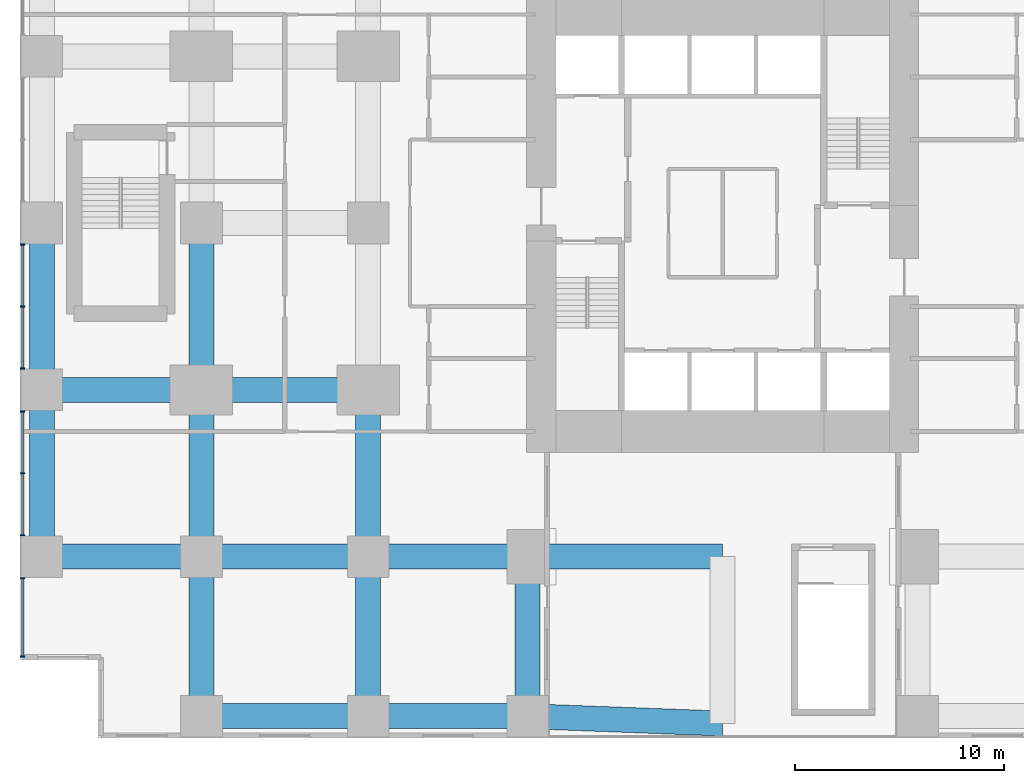
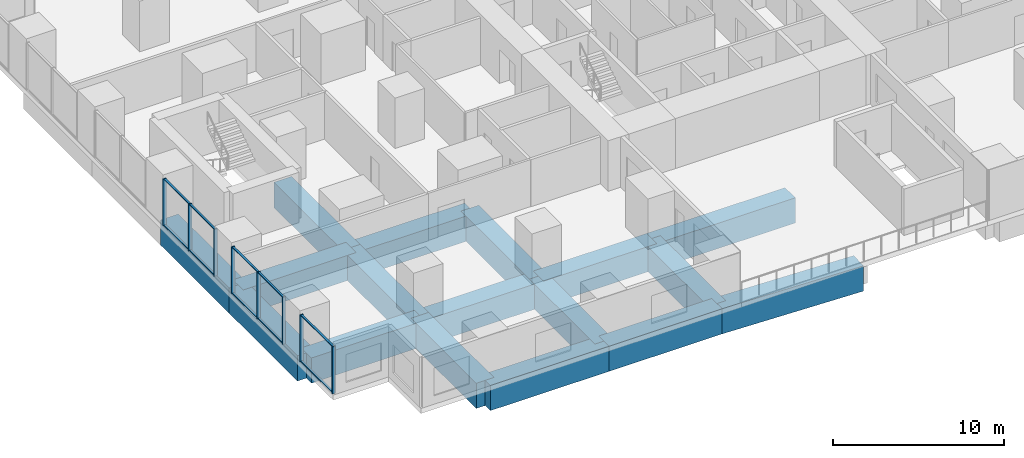
# One storey, part 2 of 15: 18 members, 17 beams, 3 elements without a shape of their own.
"""IFC4 building model written with IfcOpenShell, lengths in metres."""

from ifc_helpers import new_model, si_unit, direction, frame, origin, origin_2d, place, context, subcontext, project, spatial, rectangle, extrude, material, layer, layer_set, material_profile, profile_set, type_object, element, aggregate, save


model = new_model("IFC4")

# Units and contexts
model_context = context("Model", 3, precision=1e-05, world=origin(), true_north=direction((0.0, 1.0)))
body_context = subcontext(model_context, "Body", "Model", "MODEL_VIEW")
ifc_project = project(units=[si_unit("LENGTHUNIT", "METRE"), si_unit("AREAUNIT", "SQUARE_METRE"), si_unit("VOLUMEUNIT", "CUBIC_METRE"), si_unit("PLANEANGLEUNIT", "RADIAN"), si_unit("MASSUNIT", "GRAM", prefix="KILO")], contexts=[model_context])

# Site, building, storey
site_placement = place(None, origin())
site = spatial("IfcSite", under=ifc_project, at=site_placement, CompositionType="ELEMENT")
building_placement = place(site_placement, origin())
building = spatial("IfcBuilding", under=site, at=building_placement, Name="Cleftline Residences", CompositionType="ELEMENT")
storey_placement = place(building_placement, frame((0.0, 0.0, 26.0)))
storey = spatial("IfcBuildingStorey", under=building, at=storey_placement, Name="L05", CompositionType="ELEMENT", Elevation=26.0)

# Beams
ifc_material_1 = material(Name="Concrete B45", Category="concrete")
ifc_material_profile_1 = material_profile(ifc_material_1, rectangle(XDim=1.199951171875, YDim=1.800048828125, at=origin_2d()))
ifc_profile_set_1 = profile_set([ifc_material_profile_1], Name="Concrete B45")
beam_type = type_object("IfcBeamType", Name="BEAM RC1200X1800", PredefinedType="BEAM", material=ifc_profile_set_1)
beam_1_placement = place(storey_placement, frame((8.0, 0.35009765625, -1.25), z_axis=(1.0, 0.0, 0.0), x_axis=(0.0, 1.0, 0.0)))
element("IfcBeam", 1, at=beam_1_placement, inside=storey, type_object=beam_type, Name="Podium beam", PredefinedType="BEAM", context=body_context, shape_type="SweptSolid", body=[
    extrude(rectangle(XDim=1.199951171875, YDim=1.800048828125, at=origin_2d()), origin(), (0.0, 0.0, 1.0), 8.0),
])
beam_2_placement = place(storey_placement, frame((16.0, 0.35009765625, -1.25), z_axis=(1.0, 0.0, 0.0), x_axis=(0.0, 1.0, 0.0)))
element("IfcBeam", 2, at=beam_2_placement, inside=storey, type_object=beam_type, Name="Podium beam", PredefinedType="BEAM", context=body_context, shape_type="SweptSolid", body=[
    extrude(rectangle(XDim=1.199951171875, YDim=1.800048828125, at=origin_2d()), origin(), (0.0, 0.0, 1.0), 7.64990234375),
])
beam_3_placement = place(storey_placement, frame((23.64990234375, 0.35009765625, -1.25), z_axis=(0.999299739303, -0.037416988515, 0.0), x_axis=(0.037416988515, 0.999299739303, 0.0)))
element("IfcBeam", 3, at=beam_3_placement, inside=storey, type_object=beam_type, Name="Podium beam", PredefinedType="BEAM", context=body_context, shape_type="SweptSolid", body=[
    extrude(rectangle(XDim=1.199951171875, YDim=1.800048828125, at=origin_2d()), origin(), (0.0, 0.0, 1.0), 9.356689453125),
])
beam_4_placement = place(storey_placement, frame((0.35009765625, 8.0, -1.25), z_axis=(1.0, 0.0, 0.0), x_axis=(0.0, 1.0, 0.0)))
element("IfcBeam", 4, at=beam_4_placement, inside=storey, type_object=beam_type, Name="Podium beam", PredefinedType="BEAM", context=body_context, shape_type="SweptSolid", body=[
    extrude(rectangle(XDim=1.199951171875, YDim=1.800048828125, at=origin_2d()), origin(), (0.0, 0.0, 1.0), 7.64990234375),
])
beam_5_placement = place(storey_placement, frame((8.0, 8.0, -1.25), z_axis=(1.0, 0.0, 0.0), x_axis=(0.0, 1.0, 0.0)))
element("IfcBeam", 5, at=beam_5_placement, inside=storey, type_object=beam_type, Name="Podium beam", PredefinedType="BEAM", context=body_context, shape_type="SweptSolid", body=[
    extrude(rectangle(XDim=1.199951171875, YDim=1.800048828125, at=origin_2d()), origin(), (0.0, 0.0, 1.0), 8.0),
])
beam_6_placement = place(storey_placement, frame((16.0, 8.0, -1.25), z_axis=(1.0, 0.0, 0.0), x_axis=(0.0, 1.0, 0.0)))
element("IfcBeam", 6, at=beam_6_placement, inside=storey, type_object=beam_type, Name="Podium beam", PredefinedType="BEAM", context=body_context, shape_type="SweptSolid", body=[
    extrude(rectangle(XDim=1.199951171875, YDim=1.800048828125, at=origin_2d()), origin(), (0.0, 0.0, 1.0), 7.64990234375),
])
beam_7_placement = place(storey_placement, frame((23.64990234375, 8.0, -1.25), z_axis=(1.0, 0.0, 0.0), x_axis=(0.0, 1.0, 0.0)))
element("IfcBeam", 7, at=beam_7_placement, inside=storey, type_object=beam_type, Name="Podium beam", PredefinedType="BEAM", context=body_context, shape_type="SweptSolid", body=[
    extrude(rectangle(XDim=1.199951171875, YDim=1.800048828125, at=origin_2d()), origin(), (0.0, 0.0, 1.0), 9.35009765625),
])
beam_8_placement = place(storey_placement, frame((0.35009765625, 16.0, -1.25), z_axis=(1.0, 0.0, 0.0), x_axis=(0.0, 1.0, 0.0)))
element("IfcBeam", 8, at=beam_8_placement, inside=storey, type_object=beam_type, Name="Podium beam", PredefinedType="BEAM", context=body_context, shape_type="SweptSolid", body=[
    extrude(rectangle(XDim=1.199951171875, YDim=1.800048828125, at=origin_2d()), origin(), (0.0, 0.0, 1.0), 7.64990234375),
])
for number, where, z_axis, x_axis, name in (
    (9, (8.0, 16.0, -1.25), (1.0, 0.0, 0.0), (0.0, 1.0, 0.0), "Podium beam"),
    (10, (0.35009765625, 8.0, -1.25), (0.0, 1.0, 0.0), (-1.0, 0.0, 0.0), "Podium beam"),
    (11, (0.35009765625, 16.0, -1.25), (0.0, 1.0, 0.0), (-1.0, 0.0, 0.0), "Podium beam"),
):
    element("IfcBeam", number, at=place(storey_placement, frame(where, z_axis=z_axis, x_axis=x_axis)), inside=storey, type_object=beam_type, Name=name, PredefinedType="BEAM", context=body_context, shape_type="SweptSolid", body=[
        extrude(rectangle(XDim=1.199951171875, YDim=1.800048828125, at=origin_2d()), origin(), (0.0, 0.0, 1.0), 8.0),
    ])
beam_9_placement = place(storey_placement, frame((8.0, 0.35009765625, -1.25), z_axis=(0.0, 1.0, 0.0), x_axis=(-1.0, 0.0, 0.0)))
element("IfcBeam", 12, at=beam_9_placement, inside=storey, type_object=beam_type, Name="Podium beam", PredefinedType="BEAM", context=body_context, shape_type="SweptSolid", body=[
    extrude(rectangle(XDim=1.199951171875, YDim=1.800048828125, at=origin_2d()), origin(), (0.0, 0.0, 1.0), 7.64990234375),
])
for number, where, z_axis, x_axis, name in (
    (13, (8.0, 8.0, -1.25), (0.0, 1.0, 0.0), (-1.0, 0.0, 0.0), "Podium beam"),
    (14, (8.0, 16.0, -1.25), (0.0, 1.0, 0.0), (-1.0, 0.0, 0.0), "Podium beam"),
):
    element("IfcBeam", number, at=place(storey_placement, frame(where, z_axis=z_axis, x_axis=x_axis)), inside=storey, type_object=beam_type, Name=name, PredefinedType="BEAM", context=body_context, shape_type="SweptSolid", body=[
        extrude(rectangle(XDim=1.199951171875, YDim=1.800048828125, at=origin_2d()), origin(), (0.0, 0.0, 1.0), 8.0),
    ])
beam_10_placement = place(storey_placement, frame((16.0, 0.35009765625, -1.25), z_axis=(0.0, 1.0, 0.0), x_axis=(-1.0, 0.0, 0.0)))
element("IfcBeam", 15, at=beam_10_placement, inside=storey, type_object=beam_type, Name="Podium beam", PredefinedType="BEAM", context=body_context, shape_type="SweptSolid", body=[
    extrude(rectangle(XDim=1.199951171875, YDim=1.800048828125, at=origin_2d()), origin(), (0.0, 0.0, 1.0), 7.64990234375),
])
beam_11_placement = place(storey_placement, frame((16.0, 8.0, -1.25), z_axis=(0.0, 1.0, 0.0), x_axis=(-1.0, 0.0, 0.0)))
element("IfcBeam", 16, at=beam_11_placement, inside=storey, type_object=beam_type, Name="Podium beam", PredefinedType="BEAM", context=body_context, shape_type="SweptSolid", body=[
    extrude(rectangle(XDim=1.199951171875, YDim=1.800048828125, at=origin_2d()), origin(), (0.0, 0.0, 1.0), 8.0),
])
beam_12_placement = place(storey_placement, frame((23.64990234375, 0.35009765625, -1.25), z_axis=(0.0, 1.0, 0.0), x_axis=(-1.0, 0.0, 0.0)))
element("IfcBeam", 17, at=beam_12_placement, inside=storey, type_object=beam_type, Name="Podium beam", PredefinedType="BEAM", context=body_context, shape_type="SweptSolid", body=[
    extrude(rectangle(XDim=1.199951171875, YDim=1.800048828125, at=origin_2d()), origin(), (0.0, 0.0, 1.0), 7.64990234375),
])

# Curtain wall, members
ifc_material_2 = material(Name="Aluminium framed curtain wall", Category="aluminium")
ifc_layer = layer(ifc_material_2, 0.199951171875)
ifc_layer_set = layer_set([ifc_layer], Name="CW4 SKY LOUNGE GLAZING")
curtain_wall_type = type_object("IfcCurtainWallType", Name="CW4 SKY LOUNGE GLAZING", PredefinedType="NOTDEFINED", material=ifc_layer_set)
curtain_wall_1_placement = place(storey_placement, origin())
curtain_wall_1 = element("IfcCurtainWall", 18, at=curtain_wall_1_placement, inside=storey, type_object=curtain_wall_type, Name="Curtain wall CW4", PredefinedType="NOTDEFINED")
ifc_material_3 = material(Name="Aluminium mullion", Category="aluminium")
ifc_material_profile_2 = material_profile(ifc_material_3, rectangle(XDim=0.219970703125, YDim=0.06494140625, at=origin_2d()))
ifc_profile_set_2 = profile_set([ifc_material_profile_2], Name="Aluminium mullion")
member_type_1 = type_object("IfcMemberType", Name="CW4 MULLION", PredefinedType="MULLION", material=ifc_profile_set_2)
member_1_placement = place(storey_placement, frame((-0.574951171875, 22.967529296875, 0.0), z_axis=(0.0, 0.0, 1.0), x_axis=(1.0, 0.0, 0.0)))
member_1 = element("IfcMember", 19, at=member_1_placement, type_object=member_type_1, Name="CW4 mullion 1", PredefinedType="MULLION", context=body_context, shape_type="SweptSolid", body=[
    extrude(rectangle(XDim=0.219970703125, YDim=0.06494140625, at=origin_2d()), origin(), (0.0, 0.0, 1.0), 3.35009765625),
])
member_2_placement = place(storey_placement, frame((-0.574951171875, 20.0, 0.0), z_axis=(0.0, 0.0, 1.0), x_axis=(1.0, 0.0, 0.0)))
member_2 = element("IfcMember", 20, at=member_2_placement, type_object=member_type_1, Name="CW4 mullion 2", PredefinedType="MULLION", context=body_context, shape_type="SweptSolid", body=[
    extrude(rectangle(XDim=0.219970703125, YDim=0.06494140625, at=origin_2d()), origin(), (0.0, 0.0, 1.0), 3.35009765625),
])
member_3_placement = place(storey_placement, frame((-0.574951171875, 17.032470703125, 0.0), z_axis=(0.0, 0.0, 1.0), x_axis=(1.0, 0.0, 0.0)))
member_3 = element("IfcMember", 21, at=member_3_placement, type_object=member_type_1, Name="CW4 mullion 3", PredefinedType="MULLION", context=body_context, shape_type="SweptSolid", body=[
    extrude(rectangle(XDim=0.219970703125, YDim=0.06494140625, at=origin_2d()), origin(), (0.0, 0.0, 1.0), 3.35009765625),
])

curtain_wall_2_placement = place(storey_placement, origin())
curtain_wall_2 = element("IfcCurtainWall", 22, at=curtain_wall_2_placement, inside=storey, type_object=curtain_wall_type, Name="Curtain wall CW4", PredefinedType="NOTDEFINED")
member_4_placement = place(storey_placement, frame((-0.574951171875, 14.967529296875, 0.0), z_axis=(0.0, 0.0, 1.0), x_axis=(1.0, 0.0, 0.0)))
member_4 = element("IfcMember", 23, at=member_4_placement, type_object=member_type_1, Name="CW4 mullion 1", PredefinedType="MULLION", context=body_context, shape_type="SweptSolid", body=[
    extrude(rectangle(XDim=0.219970703125, YDim=0.06494140625, at=origin_2d()), origin(), (0.0, 0.0, 1.0), 3.35009765625),
])
member_5_placement = place(storey_placement, frame((-0.574951171875, 12.0, 0.0), z_axis=(0.0, 0.0, 1.0), x_axis=(1.0, 0.0, 0.0)))
member_5 = element("IfcMember", 24, at=member_5_placement, type_object=member_type_1, Name="CW4 mullion 2", PredefinedType="MULLION", context=body_context, shape_type="SweptSolid", body=[
    extrude(rectangle(XDim=0.219970703125, YDim=0.06494140625, at=origin_2d()), origin(), (0.0, 0.0, 1.0), 3.35009765625),
])
member_6_placement = place(storey_placement, frame((-0.574951171875, 9.032470703125, 0.0), z_axis=(0.0, 0.0, 1.0), x_axis=(1.0, 0.0, 0.0)))
member_6 = element("IfcMember", 25, at=member_6_placement, type_object=member_type_1, Name="CW4 mullion 3", PredefinedType="MULLION", context=body_context, shape_type="SweptSolid", body=[
    extrude(rectangle(XDim=0.219970703125, YDim=0.06494140625, at=origin_2d()), origin(), (0.0, 0.0, 1.0), 3.35009765625),
])

curtain_wall_3_placement = place(storey_placement, origin())
curtain_wall_3 = element("IfcCurtainWall", 26, at=curtain_wall_3_placement, inside=storey, type_object=curtain_wall_type, Name="Curtain wall CW4", PredefinedType="NOTDEFINED")
member_7_placement = place(storey_placement, frame((-0.574951171875, 6.967529296875, 0.0), z_axis=(0.0, 0.0, 1.0), x_axis=(1.0, 0.0, 0.0)))
member_7 = element("IfcMember", 27, at=member_7_placement, type_object=member_type_1, Name="CW4 mullion 1", PredefinedType="MULLION", context=body_context, shape_type="SweptSolid", body=[
    extrude(rectangle(XDim=0.219970703125, YDim=0.06494140625, at=origin_2d()), origin(), (0.0, 0.0, 1.0), 3.35009765625),
])
member_8_placement = place(storey_placement, frame((-0.574951171875, 3.20751953125, 0.0), z_axis=(0.0, 0.0, 1.0), x_axis=(1.0, 0.0, 0.0)))
member_8 = element("IfcMember", 28, at=member_8_placement, type_object=member_type_1, Name="CW4 mullion 2", PredefinedType="MULLION", context=body_context, shape_type="SweptSolid", body=[
    extrude(rectangle(XDim=0.219970703125, YDim=0.06494140625, at=origin_2d()), origin(), (0.0, 0.0, 1.0), 3.35009765625),
])

# Member
ifc_material_4 = material(Name="Aluminium transom", Category="aluminium")
ifc_material_profile_3 = material_profile(ifc_material_4, rectangle(XDim=0.132080078125, YDim=0.06494140625, at=origin_2d()))
ifc_profile_set_3 = profile_set([ifc_material_profile_3], Name="Aluminium transom")
member_type_2 = type_object("IfcMemberType", Name="CW4 TRANSOM", PredefinedType="USERDEFINED", material=ifc_profile_set_3)
member_9_placement = place(storey_placement, frame((-0.574951171875, 22.93505859375, 0.032470703125), z_axis=(0.0, -1.0, 0.0), x_axis=(1.0, 0.0, 0.0)))
member_9 = element("IfcMember", 29, at=member_9_placement, type_object=member_type_2, Name="CW4 transom 1.1", ObjectType="TRANSOM", PredefinedType="USERDEFINED", context=body_context, shape_type="SweptSolid", body=[
    extrude(rectangle(XDim=0.132080078125, YDim=0.06494140625, at=origin_2d()), origin(), (0.0, 0.0, 1.0), 2.902587890625),
])

member_10_placement = place(storey_placement, frame((-0.574951171875, 22.93505859375, 3.3173828125), z_axis=(0.0, -1.0, 0.0), x_axis=(1.0, 0.0, 0.0)))
member_10 = element("IfcMember", 30, at=member_10_placement, type_object=member_type_2, Name="CW4 transom 1.2", ObjectType="TRANSOM", PredefinedType="USERDEFINED", context=body_context, shape_type="SweptSolid", body=[
    extrude(rectangle(XDim=0.132080078125, YDim=0.06494140625, at=origin_2d()), origin(), (0.0, 0.0, 1.0), 2.902587890625),
])

member_11_placement = place(storey_placement, frame((-0.574951171875, 19.967529296875, 0.032470703125), z_axis=(0.0, -1.0, 0.0), x_axis=(1.0, 0.0, 0.0)))
member_11 = element("IfcMember", 31, at=member_11_placement, type_object=member_type_2, Name="CW4 transom 2.1", ObjectType="TRANSOM", PredefinedType="USERDEFINED", context=body_context, shape_type="SweptSolid", body=[
    extrude(rectangle(XDim=0.132080078125, YDim=0.06494140625, at=origin_2d()), origin(), (0.0, 0.0, 1.0), 2.902587890625),
])

member_12_placement = place(storey_placement, frame((-0.574951171875, 19.967529296875, 3.3173828125), z_axis=(0.0, -1.0, 0.0), x_axis=(1.0, 0.0, 0.0)))
member_12 = element("IfcMember", 32, at=member_12_placement, type_object=member_type_2, Name="CW4 transom 2.2", ObjectType="TRANSOM", PredefinedType="USERDEFINED", context=body_context, shape_type="SweptSolid", body=[
    extrude(rectangle(XDim=0.132080078125, YDim=0.06494140625, at=origin_2d()), origin(), (0.0, 0.0, 1.0), 2.902587890625),
])

aggregate(curtain_wall_1, [member_1, member_2, member_3, member_9, member_10, member_11, member_12])

member_13_placement = place(storey_placement, frame((-0.574951171875, 14.93505859375, 0.032470703125), z_axis=(0.0, -1.0, 0.0), x_axis=(1.0, 0.0, 0.0)))
member_13 = element("IfcMember", 33, at=member_13_placement, type_object=member_type_2, Name="CW4 transom 1.1", ObjectType="TRANSOM", PredefinedType="USERDEFINED", context=body_context, shape_type="SweptSolid", body=[
    extrude(rectangle(XDim=0.132080078125, YDim=0.06494140625, at=origin_2d()), origin(), (0.0, 0.0, 1.0), 2.902587890625),
])

member_14_placement = place(storey_placement, frame((-0.574951171875, 14.93505859375, 3.3173828125), z_axis=(0.0, -1.0, 0.0), x_axis=(1.0, 0.0, 0.0)))
member_14 = element("IfcMember", 34, at=member_14_placement, type_object=member_type_2, Name="CW4 transom 1.2", ObjectType="TRANSOM", PredefinedType="USERDEFINED", context=body_context, shape_type="SweptSolid", body=[
    extrude(rectangle(XDim=0.132080078125, YDim=0.06494140625, at=origin_2d()), origin(), (0.0, 0.0, 1.0), 2.902587890625),
])

member_15_placement = place(storey_placement, frame((-0.574951171875, 11.967529296875, 0.032470703125), z_axis=(0.0, -1.0, 0.0), x_axis=(1.0, 0.0, 0.0)))
member_15 = element("IfcMember", 35, at=member_15_placement, type_object=member_type_2, Name="CW4 transom 2.1", ObjectType="TRANSOM", PredefinedType="USERDEFINED", context=body_context, shape_type="SweptSolid", body=[
    extrude(rectangle(XDim=0.132080078125, YDim=0.06494140625, at=origin_2d()), origin(), (0.0, 0.0, 1.0), 2.902587890625),
])

member_16_placement = place(storey_placement, frame((-0.574951171875, 11.967529296875, 3.3173828125), z_axis=(0.0, -1.0, 0.0), x_axis=(1.0, 0.0, 0.0)))
member_16 = element("IfcMember", 36, at=member_16_placement, type_object=member_type_2, Name="CW4 transom 2.2", ObjectType="TRANSOM", PredefinedType="USERDEFINED", context=body_context, shape_type="SweptSolid", body=[
    extrude(rectangle(XDim=0.132080078125, YDim=0.06494140625, at=origin_2d()), origin(), (0.0, 0.0, 1.0), 2.902587890625),
])

aggregate(curtain_wall_2, [member_4, member_5, member_6, member_13, member_14, member_15, member_16])

member_17_placement = place(storey_placement, frame((-0.574951171875, 6.93505859375, 0.032470703125), z_axis=(0.0, -1.0, 0.0), x_axis=(1.0, 0.0, 0.0)))
member_17 = element("IfcMember", 37, at=member_17_placement, type_object=member_type_2, Name="CW4 transom 1.1", ObjectType="TRANSOM", PredefinedType="USERDEFINED", context=body_context, shape_type="SweptSolid", body=[
    extrude(rectangle(XDim=0.132080078125, YDim=0.06494140625, at=origin_2d()), origin(), (0.0, 0.0, 1.0), 3.695068359375),
])

member_18_placement = place(storey_placement, frame((-0.574951171875, 6.93505859375, 3.3173828125), z_axis=(0.0, -1.0, 0.0), x_axis=(1.0, 0.0, 0.0)))
member_18 = element("IfcMember", 38, at=member_18_placement, type_object=member_type_2, Name="CW4 transom 1.2", ObjectType="TRANSOM", PredefinedType="USERDEFINED", context=body_context, shape_type="SweptSolid", body=[
    extrude(rectangle(XDim=0.132080078125, YDim=0.06494140625, at=origin_2d()), origin(), (0.0, 0.0, 1.0), 3.695068359375),
])

aggregate(curtain_wall_3, [member_7, member_8, member_17, member_18])

save(model, "model.ifc")
